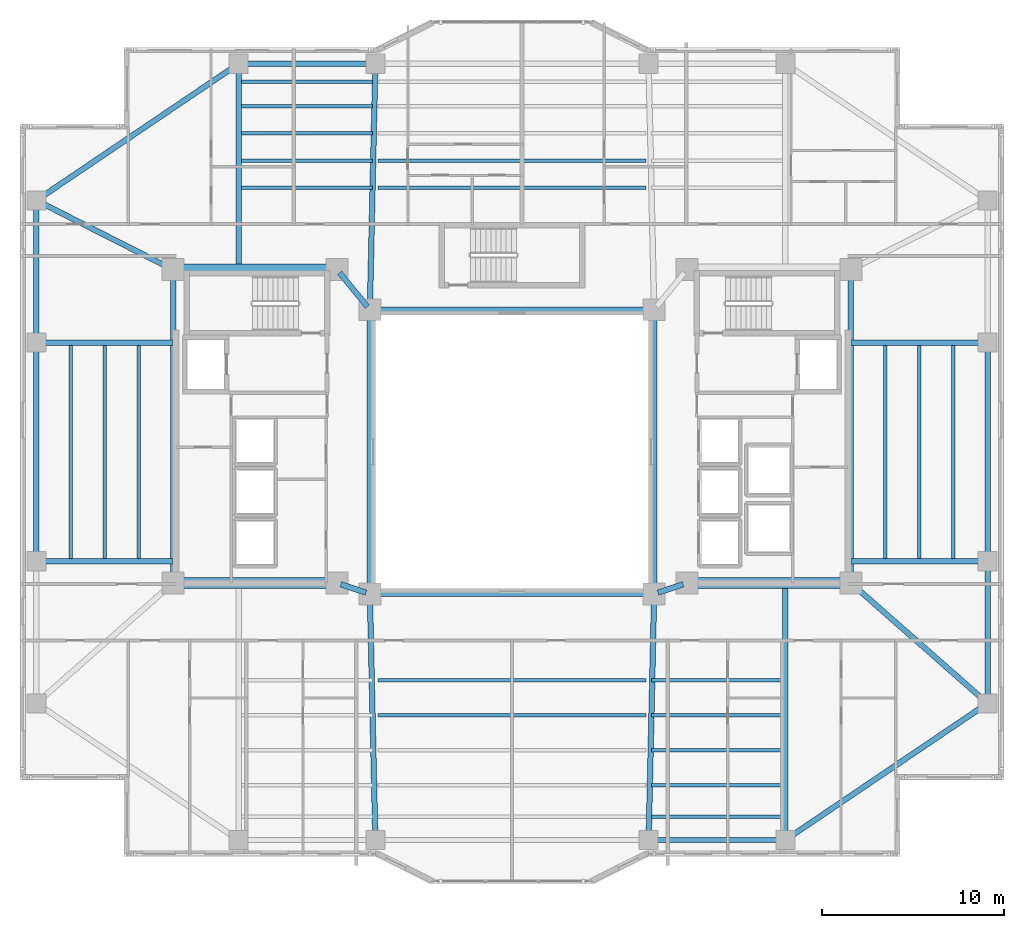
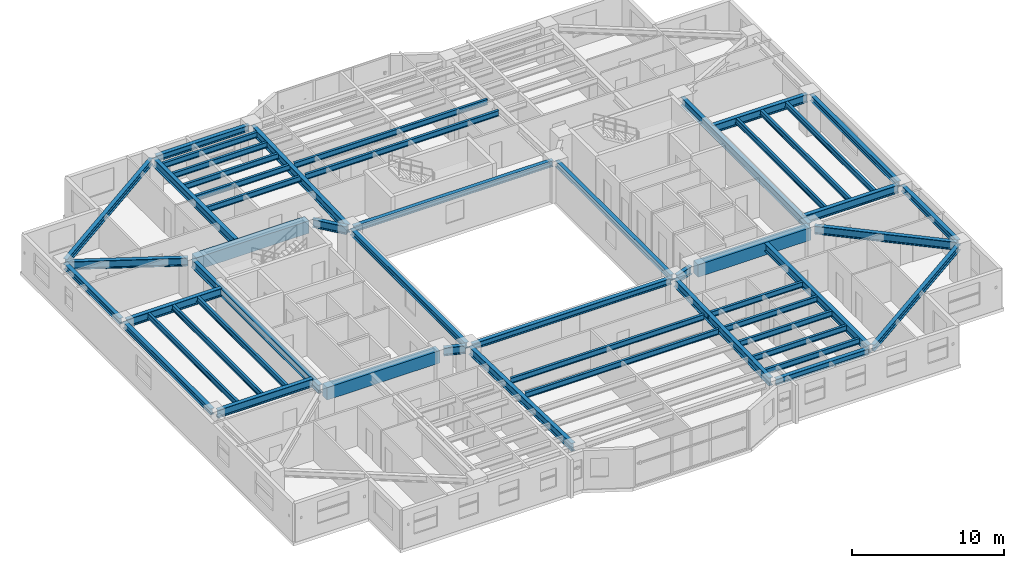
# One storey, part 3 of 18: 51 beams.
"""IFC4 building model written with IfcOpenShell, lengths in metres."""

from ifc_helpers import new_model, si_unit, direction, frame, origin, origin_2d, place, context, subcontext, project, spatial, rectangle, i_section, extrude, material, material_profile, profile_set, type_object, element, save


model = new_model("IFC4")

# Units and contexts
model_context = context("Model", 3, precision=1e-05, world=origin(), true_north=direction((0.0, 1.0)))
body_context = subcontext(model_context, "Body", "Model", "MODEL_VIEW")
ifc_project = project(units=[si_unit("LENGTHUNIT", "METRE"), si_unit("AREAUNIT", "SQUARE_METRE"), si_unit("VOLUMEUNIT", "CUBIC_METRE"), si_unit("PLANEANGLEUNIT", "RADIAN"), si_unit("MASSUNIT", "GRAM", prefix="KILO")], contexts=[model_context])

# Site, building, storey
site_placement = place(None, origin())
site = spatial("IfcSite", under=ifc_project, at=site_placement, CompositionType="ELEMENT")
building_placement = place(site_placement, origin())
building = spatial("IfcBuilding", under=site, at=building_placement, Name="Tarnavaz Court Tower", CompositionType="ELEMENT")
storey_placement = place(building_placement, frame((0.0, 0.0, 98.39990234375)))
storey = spatial("IfcBuildingStorey", under=building, at=storey_placement, Name="L26", CompositionType="ELEMENT", Elevation=98.39990234375)

# Beams
ifc_material_1 = material(Name="Concrete C60/75", Category="concrete")
ifc_material_profile_1 = material_profile(ifc_material_1, rectangle(XDim=0.60009765625, YDim=1.0, at=origin_2d()), Name="RC 600X1000")
ifc_profile_set_1 = profile_set([ifc_material_profile_1], Name="Concrete C60/75")
beam_type_1 = type_object("IfcBeamType", Name="BM-CB1000", PredefinedType="LINTEL", material=ifc_profile_set_1)
for number, where, z_axis, x_axis, name in (
    (1, (-18.3798828125, -7.199951171875, 2.60009765625), (1.0, 0.0, 0.0), (0.0, 1.0, 0.0), "L26 Beam IN-CW-SO-CW-SI"),
    (2, (-18.3798828125, 10.0, 2.60009765625), (1.0, 0.0, 0.0), (0.0, 1.0, 0.0), "L26 Beam IN-CW-NO-CW-NI"),
    (3, (18.3798828125, -7.199951171875, 2.60009765625), (-1.0, 0.0, 0.0), (0.0, -1.0, 0.0), "L26 Beam IN-CE-SO-CE-SI"),
):
    element("IfcBeam", number, at=place(storey_placement, frame(where, z_axis=z_axis, x_axis=x_axis)), inside=storey, type_object=beam_type_1, Name=name, PredefinedType="LINTEL", context=body_context, shape_type="SweptSolid", body=[
        extrude(rectangle(XDim=0.60009765625, YDim=1.0, at=origin_2d()), origin(), (0.0, 0.0, 1.0), 8.559814453125),
    ])
ifc_material_2 = material(Name="Steel S355", Category="steel")
ifc_material_profile_2 = material_profile(ifc_material_2, i_section(OverallWidth=0.300048828125, OverallDepth=0.64990234375, WebThickness=0.01611328125, FlangeThickness=0.031005859375, FilletRadius=0.027099609375, at=origin_2d()), Name="HEB 650")
ifc_profile_set_2 = profile_set([ifc_material_profile_2], Name="Steel S355")
beam_type_2 = type_object("IfcBeamType", Name="BM-G-HEB650", PredefinedType="USERDEFINED", material=ifc_profile_set_2)
for number, where, z_axis, x_axis, name in (
    (4, (-9.391357421875, -7.26953125, 2.775146484375), (0.948666544706, -0.316278021615, 0.0), (0.316278021615, 0.948666544706, 0.0), "L26 Beam IN-CW-SI-IW-SW"),
    (5, (9.391357421875, -7.26953125, 2.775146484375), (-0.948666544706, -0.316278021615, 0.0), (0.316278021615, -0.948666544706, 0.0), "L26 Beam IN-CE-SI-IW-SE"),
):
    element("IfcBeam", number, at=place(storey_placement, frame(where, z_axis=z_axis, x_axis=x_axis)), inside=storey, type_object=beam_type_2, Name=name, ObjectType="GIRDER", PredefinedType="USERDEFINED", context=body_context, shape_type="SweptSolid", body=[
        extrude(i_section(OverallWidth=0.300048828125, OverallDepth=0.64990234375, WebThickness=0.01611328125, FlangeThickness=0.031005859375, FilletRadius=0.027099609375, at=origin_2d()), origin(), (0.0, 0.0, 1.0), 1.457275390625),
    ])
beam_1_placement = place(storey_placement, frame((-9.460693359375, 9.82958984375, 2.775146484375), z_axis=(0.633282058357, -0.773921077735, 0.0), x_axis=(0.773921077735, 0.633282058357, 0.0)))
element("IfcBeam", 6, at=beam_1_placement, inside=storey, type_object=beam_type_2, Name="L26 Beam IN-CW-NI-IW-NW", ObjectType="GIRDER", PredefinedType="USERDEFINED", context=body_context, shape_type="SweptSolid", body=[
    extrude(i_section(OverallWidth=0.300048828125, OverallDepth=0.64990234375, WebThickness=0.01611328125, FlangeThickness=0.031005859375, FilletRadius=0.027099609375, at=origin_2d()), origin(), (0.0, 0.0, 1.0), 2.402587890625),
])
for number, where, z_axis, x_axis, name in (
    (7, (-18.60009765625, -6.97998046875, 2.775146484375), (0.0, 1.0, 0.0), (-1.0, 0.0, 0.0), "L26 Beam IN-CW-SO-CW-NO"),
    (8, (18.60009765625, -6.97998046875, 2.775146484375), (0.0, 1.0, 0.0), (-1.0, 0.0, 0.0), "L26 Beam IN-CE-SO-CE-NO"),
):
    element("IfcBeam", number, at=place(storey_placement, frame(where, z_axis=z_axis, x_axis=x_axis)), inside=storey, type_object=beam_type_2, Name=name, ObjectType="GIRDER", PredefinedType="USERDEFINED", context=body_context, shape_type="SweptSolid", body=[
        extrude(i_section(OverallWidth=0.300048828125, OverallDepth=0.64990234375, WebThickness=0.01611328125, FlangeThickness=0.031005859375, FilletRadius=0.027099609375, at=origin_2d()), origin(), (0.0, 0.0, 1.0), 16.760009765625),
    ])
beam_2_placement = place(storey_placement, frame((-15.0, 10.0400390625, 2.775146484375), z_axis=(0.0, 1.0, 0.0), x_axis=(-1.0, 0.0, 0.0)))
element("IfcBeam", 9, at=beam_2_placement, inside=storey, type_object=beam_type_2, Name="L26 Beam RG-01", ObjectType="GIRDER", PredefinedType="USERDEFINED", context=body_context, shape_type="SweptSolid", body=[
    extrude(i_section(OverallWidth=0.300048828125, OverallDepth=0.64990234375, WebThickness=0.01611328125, FlangeThickness=0.031005859375, FilletRadius=0.027099609375, at=origin_2d()), origin(), (0.0, 0.0, 1.0), 11.0400390625),
])
for number, where, z_axis, x_axis, name in (
    (10, (-7.795166015625, 8.02001953125, 2.775146484375), (0.022221303469, 0.99975307635, 0.0), (-0.99975307635, 0.022221303469, 0.0), "L26 Beam RG-02"),
    (11, (-7.795166015625, -8.02001953125, 2.775146484375), (0.022221303469, -0.99975307635, 0.0), (0.99975307635, 0.022221303469, 0.0), "L26 Beam RG-06"),
    (12, (7.795166015625, -8.02001953125, 2.775146484375), (-0.022221303469, -0.99975307635, 0.0), (0.99975307635, -0.022221303469, 0.0), "L26 Beam RG-07"),
):
    element("IfcBeam", number, at=place(storey_placement, frame(where, z_axis=z_axis, x_axis=x_axis)), inside=storey, type_object=beam_type_2, Name=name, ObjectType="GIRDER", PredefinedType="USERDEFINED", context=body_context, shape_type="SweptSolid", body=[
        extrude(i_section(OverallWidth=0.300048828125, OverallDepth=0.64990234375, WebThickness=0.01611328125, FlangeThickness=0.031005859375, FilletRadius=0.027099609375, at=origin_2d()), origin(), (0.0, 0.0, 1.0), 13.063232421875),
    ])
beam_3_placement = place(storey_placement, frame((15.0, -7.239990234375, 2.775146484375), z_axis=(0.0, -1.0, 0.0), x_axis=(1.0, 0.0, 0.0)))
element("IfcBeam", 13, at=beam_3_placement, inside=storey, type_object=beam_type_2, Name="L26 Beam RG-08", ObjectType="GIRDER", PredefinedType="USERDEFINED", context=body_context, shape_type="SweptSolid", body=[
    extrude(i_section(OverallWidth=0.300048828125, OverallDepth=0.64990234375, WebThickness=0.01611328125, FlangeThickness=0.031005859375, FilletRadius=0.027099609375, at=origin_2d()), origin(), (0.0, 0.0, 1.0), 13.840087890625),
])
for number, where, z_axis, x_axis, name in (
    (14, (18.639892578125, -6.0, 2.775146484375), (1.0, 0.0, 0.0), (0.0, 1.0, 0.0), "L26 Beam RG-09"),
    (15, (18.639892578125, 6.0, 2.775146484375), (1.0, 0.0, 0.0), (0.0, 1.0, 0.0), "L26 Beam RG-10"),
):
    element("IfcBeam", number, at=place(storey_placement, frame(where, z_axis=z_axis, x_axis=x_axis)), inside=storey, type_object=beam_type_2, Name=name, ObjectType="GIRDER", PredefinedType="USERDEFINED", context=body_context, shape_type="SweptSolid", body=[
        extrude(i_section(OverallWidth=0.300048828125, OverallDepth=0.64990234375, WebThickness=0.01611328125, FlangeThickness=0.031005859375, FilletRadius=0.027099609375, at=origin_2d()), origin(), (0.0, 0.0, 1.0), 7.239990234375),
    ])
beam_4_placement = place(storey_placement, frame((18.76513671875, -7.34521484375, 2.775146484375), z_axis=(0.750700332035, -0.660642877417, 0.0), x_axis=(0.660642877417, 0.750700332035, 0.0)))
element("IfcBeam", 16, at=beam_4_placement, inside=storey, type_object=beam_type_2, Name="L26 Beam RG-11", ObjectType="GIRDER", PredefinedType="USERDEFINED", context=body_context, shape_type="SweptSolid", body=[
    extrude(i_section(OverallWidth=0.300048828125, OverallDepth=0.64990234375, WebThickness=0.01611328125, FlangeThickness=0.031005859375, FilletRadius=0.027099609375, at=origin_2d()), origin(), (0.0, 0.0, 1.0), 9.550537109375),
])
for number, where, z_axis, x_axis, name in (
    (17, (-18.639892578125, -6.0, 2.775146484375), (-1.0, 0.0, 0.0), (0.0, -1.0, 0.0), "L26 Beam RG-13"),
    (18, (-18.639892578125, 6.0, 2.775146484375), (-1.0, 0.0, 0.0), (0.0, -1.0, 0.0), "L26 Beam RG-14"),
):
    element("IfcBeam", number, at=place(storey_placement, frame(where, z_axis=z_axis, x_axis=x_axis)), inside=storey, type_object=beam_type_2, Name=name, ObjectType="GIRDER", PredefinedType="USERDEFINED", context=body_context, shape_type="SweptSolid", body=[
        extrude(i_section(OverallWidth=0.300048828125, OverallDepth=0.64990234375, WebThickness=0.01611328125, FlangeThickness=0.031005859375, FilletRadius=0.027099609375, at=origin_2d()), origin(), (0.0, 0.0, 1.0), 7.239990234375),
    ])
beam_5_placement = place(storey_placement, frame((-18.796142578125, 10.099365234375, 2.775146484375), z_axis=(-0.892030669981, 0.451974870776, 0.0), x_axis=(-0.451974870776, -0.892030669981, 0.0)))
element("IfcBeam", 19, at=beam_5_placement, inside=storey, type_object=beam_type_2, Name="L26 Beam RG-16", ObjectType="GIRDER", PredefinedType="USERDEFINED", context=body_context, shape_type="SweptSolid", body=[
    extrude(i_section(OverallWidth=0.300048828125, OverallDepth=0.64990234375, WebThickness=0.01611328125, FlangeThickness=0.031005859375, FilletRadius=0.027099609375, at=origin_2d()), origin(), (0.0, 0.0, 1.0), 7.968017578125),
])
ifc_material_profile_3 = material_profile(ifc_material_2, i_section(OverallWidth=0.18994140625, OverallDepth=0.449951171875, WebThickness=0.009521484375, FlangeThickness=0.0146484375, FilletRadius=0.02099609375, at=origin_2d()), Name="IPE 450")
ifc_profile_set_3 = profile_set([ifc_material_profile_3], Name="Steel S355")
beam_type_3 = type_object("IfcBeamType", Name="BM-J-IPE450", PredefinedType="JOIST", material=ifc_profile_set_3)
beam_6_placement = place(storey_placement, frame((-14.85009765625, 14.493896484375, 2.875), z_axis=(1.0, 0.0, 0.0), x_axis=(0.0, 1.0, 0.0)))
element("IfcBeam", 20, at=beam_6_placement, inside=storey, type_object=beam_type_3, Name="L26 Beam JN1-1", PredefinedType="JOIST", context=body_context, shape_type="SweptSolid", body=[
    extrude(i_section(OverallWidth=0.18994140625, OverallDepth=0.449951171875, WebThickness=0.009521484375, FlangeThickness=0.0146484375, FilletRadius=0.02099609375, at=origin_2d()), origin(), (0.0, 0.0, 1.0), 7.2001953125),
])
for number, where, z_axis, x_axis, name in (
    (21, (-7.35009765625, 14.493896484375, 2.875), (1.0, 0.0, 0.0), (0.0, 1.0, 0.0), "L26 Beam JN1-2"),
    (22, (-7.35009765625, -12.52587890625, 2.875), (1.0, 0.0, 0.0), (0.0, 1.0, 0.0), "L26 Beam JS1-2"),
):
    element("IfcBeam", number, at=place(storey_placement, frame(where, z_axis=z_axis, x_axis=x_axis)), inside=storey, type_object=beam_type_3, Name=name, PredefinedType="JOIST", context=body_context, shape_type="SweptSolid", body=[
        extrude(i_section(OverallWidth=0.18994140625, OverallDepth=0.449951171875, WebThickness=0.009521484375, FlangeThickness=0.0146484375, FilletRadius=0.02099609375, at=origin_2d()), origin(), (0.0, 0.0, 1.0), 14.7001953125),
    ])
for number, where, z_axis, x_axis, name in (
    (23, (7.64990234375, -12.52587890625, 2.875), (1.0, 0.0, 0.0), (0.0, 1.0, 0.0), "L26 Beam JS1-3"),
    (24, (-14.85009765625, 15.988037109375, 2.875), (1.0, 0.0, 0.0), (0.0, 1.0, 0.0), "L26 Beam JN2-1"),
):
    element("IfcBeam", number, at=place(storey_placement, frame(where, z_axis=z_axis, x_axis=x_axis)), inside=storey, type_object=beam_type_3, Name=name, PredefinedType="JOIST", context=body_context, shape_type="SweptSolid", body=[
        extrude(i_section(OverallWidth=0.18994140625, OverallDepth=0.449951171875, WebThickness=0.009521484375, FlangeThickness=0.0146484375, FilletRadius=0.02099609375, at=origin_2d()), origin(), (0.0, 0.0, 1.0), 7.2001953125),
    ])
for number, where, z_axis, x_axis, name in (
    (25, (-7.35009765625, 15.988037109375, 2.875), (1.0, 0.0, 0.0), (0.0, 1.0, 0.0), "L26 Beam JN2-2"),
    (26, (-7.35009765625, -14.451904296875, 2.875), (1.0, 0.0, 0.0), (0.0, 1.0, 0.0), "L26 Beam JS2-2"),
):
    element("IfcBeam", number, at=place(storey_placement, frame(where, z_axis=z_axis, x_axis=x_axis)), inside=storey, type_object=beam_type_3, Name=name, PredefinedType="JOIST", context=body_context, shape_type="SweptSolid", body=[
        extrude(i_section(OverallWidth=0.18994140625, OverallDepth=0.449951171875, WebThickness=0.009521484375, FlangeThickness=0.0146484375, FilletRadius=0.02099609375, at=origin_2d()), origin(), (0.0, 0.0, 1.0), 14.7001953125),
    ])
for number, where, z_axis, x_axis, name in (
    (27, (7.64990234375, -14.451904296875, 2.875), (1.0, 0.0, 0.0), (0.0, 1.0, 0.0), "L26 Beam JS2-3"),
    (28, (-14.85009765625, 17.48193359375, 2.875), (1.0, 0.0, 0.0), (0.0, 1.0, 0.0), "L26 Beam JN3-1"),
    (29, (7.64990234375, -16.3779296875, 2.875), (1.0, 0.0, 0.0), (0.0, 1.0, 0.0), "L26 Beam JS3-3"),
    (30, (-14.85009765625, 18.97607421875, 2.875), (1.0, 0.0, 0.0), (0.0, 1.0, 0.0), "L26 Beam JN4-1"),
    (31, (7.64990234375, -18.303955078125, 2.875), (1.0, 0.0, 0.0), (0.0, 1.0, 0.0), "L26 Beam JS4-3"),
    (32, (-14.85009765625, 20.303955078125, 2.875), (1.0, 0.0, 0.0), (0.0, 1.0, 0.0), "L26 Beam JN5-1"),
    (33, (7.64990234375, -20.01611328125, 2.875), (1.0, 0.0, 0.0), (0.0, 1.0, 0.0), "L26 Beam JS5-3"),
):
    element("IfcBeam", number, at=place(storey_placement, frame(where, z_axis=z_axis, x_axis=x_axis)), inside=storey, type_object=beam_type_3, Name=name, PredefinedType="JOIST", context=body_context, shape_type="SweptSolid", body=[
        extrude(i_section(OverallWidth=0.18994140625, OverallDepth=0.449951171875, WebThickness=0.009521484375, FlangeThickness=0.0146484375, FilletRadius=0.02099609375, at=origin_2d()), origin(), (0.0, 0.0, 1.0), 7.2001953125),
    ])
for number, where, z_axis, x_axis, name in (
    (34, (20.47509765625, -5.9599609375, 2.875), (0.0, 1.0, 0.0), (-1.0, 0.0, 0.0), "L26 Beam JE1"),
    (35, (-20.47509765625, -5.9599609375, 2.875), (0.0, 1.0, 0.0), (-1.0, 0.0, 0.0), "L26 Beam JW1"),
    (36, (22.35009765625, -5.9599609375, 2.875), (0.0, 1.0, 0.0), (-1.0, 0.0, 0.0), "L26 Beam JE2"),
    (37, (-22.35009765625, -5.9599609375, 2.875), (0.0, 1.0, 0.0), (-1.0, 0.0, 0.0), "L26 Beam JW2"),
    (38, (24.22509765625, -5.9599609375, 2.875), (0.0, 1.0, 0.0), (-1.0, 0.0, 0.0), "L26 Beam JE3"),
    (39, (-24.22509765625, -5.9599609375, 2.875), (0.0, 1.0, 0.0), (-1.0, 0.0, 0.0), "L26 Beam JW3"),
):
    element("IfcBeam", number, at=place(storey_placement, frame(where, z_axis=z_axis, x_axis=x_axis)), inside=storey, type_object=beam_type_3, Name=name, PredefinedType="JOIST", context=body_context, shape_type="SweptSolid", body=[
        extrude(i_section(OverallWidth=0.18994140625, OverallDepth=0.449951171875, WebThickness=0.009521484375, FlangeThickness=0.0146484375, FilletRadius=0.02099609375, at=origin_2d()), origin(), (0.0, 0.0, 1.0), 11.919921875),
    ])
ifc_material_profile_4 = material_profile(ifc_material_2, i_section(OverallWidth=0.300048828125, OverallDepth=0.489990234375, WebThickness=0.011962890625, FlangeThickness=0.02294921875, FilletRadius=0.027099609375, at=origin_2d()), Name="HEA 500")
ifc_profile_set_4 = profile_set([ifc_material_profile_4], Name="Steel S355")
beam_type_4 = type_object("IfcBeamType", Name="BM-SP-HEA500", PredefinedType="SPANDREL", material=ifc_profile_set_4)
for number, where, z_axis, x_axis, name in (
    (40, (-7.580078125, -7.800048828125, 2.85498046875), (1.0, 0.0, 0.0), (0.0, 1.0, 0.0), "L26 Beam IN-IW-SW-IW-SE"),
    (41, (-7.580078125, 7.800048828125, 2.85498046875), (1.0, 0.0, 0.0), (0.0, 1.0, 0.0), "L26 Beam IN-IW-NW-IW-NE"),
    (42, (-7.800048828125, -7.580078125, 2.85498046875), (0.0, 1.0, 0.0), (-1.0, 0.0, 0.0), "L26 Beam IN-IW-SW-IW-NW"),
    (43, (7.800048828125, -7.580078125, 2.85498046875), (0.0, 1.0, 0.0), (-1.0, 0.0, 0.0), "L26 Beam IN-IW-SE-IW-NE"),
):
    element("IfcBeam", number, at=place(storey_placement, frame(where, z_axis=z_axis, x_axis=x_axis)), inside=storey, type_object=beam_type_4, Name=name, PredefinedType="SPANDREL", context=body_context, shape_type="SweptSolid", body=[
        extrude(i_section(OverallWidth=0.300048828125, OverallDepth=0.489990234375, WebThickness=0.011962890625, FlangeThickness=0.02294921875, FilletRadius=0.027099609375, at=origin_2d()), origin(), (0.0, 0.0, 1.0), 15.16015625),
    ])
for number, where, z_axis, x_axis, name in (
    (44, (-14.780029296875, 21.300048828125, 2.85498046875), (1.0, 0.0, 0.0), (0.0, 1.0, 0.0), "L26 Beam PR-PN-1-PN-2"),
    (45, (7.719970703125, -21.300048828125, 2.85498046875), (1.0, 0.0, 0.0), (0.0, 1.0, 0.0), "L26 Beam PR-PS-3-PS-4"),
):
    element("IfcBeam", number, at=place(storey_placement, frame(where, z_axis=z_axis, x_axis=x_axis)), inside=storey, type_object=beam_type_4, Name=name, PredefinedType="SPANDREL", context=body_context, shape_type="SweptSolid", body=[
        extrude(i_section(OverallWidth=0.300048828125, OverallDepth=0.489990234375, WebThickness=0.011962890625, FlangeThickness=0.02294921875, FilletRadius=0.027099609375, at=origin_2d()), origin(), (0.0, 0.0, 1.0), 7.06005859375),
    ])
beam_7_placement = place(storey_placement, frame((26.10009765625, -13.580078125, 2.85498046875), z_axis=(0.0, 1.0, 0.0), x_axis=(-1.0, 0.0, 0.0)))
element("IfcBeam", 46, at=beam_7_placement, inside=storey, type_object=beam_type_4, Name="L26 Beam PR-PE-1-PE-2", PredefinedType="SPANDREL", context=body_context, shape_type="SweptSolid", body=[
    extrude(i_section(OverallWidth=0.300048828125, OverallDepth=0.489990234375, WebThickness=0.011962890625, FlangeThickness=0.02294921875, FilletRadius=0.027099609375, at=origin_2d()), origin(), (0.0, 0.0, 1.0), 7.360107421875),
])
for number, where, z_axis, x_axis, name in (
    (47, (26.10009765625, -5.780029296875, 2.85498046875), (0.0, 1.0, 0.0), (-1.0, 0.0, 0.0), "L26 Beam PR-PE-2-PE-3"),
    (48, (-26.10009765625, -5.780029296875, 2.85498046875), (0.0, 1.0, 0.0), (-1.0, 0.0, 0.0), "L26 Beam PR-PW-2-PW-3"),
):
    element("IfcBeam", number, at=place(storey_placement, frame(where, z_axis=z_axis, x_axis=x_axis)), inside=storey, type_object=beam_type_4, Name=name, PredefinedType="SPANDREL", context=body_context, shape_type="SweptSolid", body=[
        extrude(i_section(OverallWidth=0.300048828125, OverallDepth=0.489990234375, WebThickness=0.011962890625, FlangeThickness=0.02294921875, FilletRadius=0.027099609375, at=origin_2d()), origin(), (0.0, 0.0, 1.0), 11.56005859375),
    ])
beam_8_placement = place(storey_placement, frame((-26.10009765625, 6.219970703125, 2.85498046875), z_axis=(0.0, 1.0, 0.0), x_axis=(-1.0, 0.0, 0.0)))
element("IfcBeam", 49, at=beam_8_placement, inside=storey, type_object=beam_type_4, Name="L26 Beam PR-PW-3-PW-4", PredefinedType="SPANDREL", context=body_context, shape_type="SweptSolid", body=[
    extrude(i_section(OverallWidth=0.300048828125, OverallDepth=0.489990234375, WebThickness=0.011962890625, FlangeThickness=0.02294921875, FilletRadius=0.027099609375, at=origin_2d()), origin(), (0.0, 0.0, 1.0), 7.360107421875),
])
for number, where, z_axis, x_axis, name in (
    (50, (25.917724609375, -13.923095703125, 2.85498046875), (-0.828587314918, -0.559859858854, 0.0), (0.559859858854, -0.828587314918, 0.0), "L26 Beam PR-PE-1-PS-4"),
    (51, (-25.917724609375, 13.923095703125, 2.85498046875), (0.828587314918, 0.559859858854, 0.0), (-0.559859858854, 0.828587314918, 0.0), "L26 Beam PR-PW-4-PN-1"),
):
    element("IfcBeam", number, at=place(storey_placement, frame(where, z_axis=z_axis, x_axis=x_axis)), inside=storey, type_object=beam_type_4, Name=name, PredefinedType="SPANDREL", context=body_context, shape_type="SweptSolid", body=[
        extrude(i_section(OverallWidth=0.300048828125, OverallDepth=0.489990234375, WebThickness=0.011962890625, FlangeThickness=0.02294921875, FilletRadius=0.027099609375, at=origin_2d()), origin(), (0.0, 0.0, 1.0), 12.956298828125),
    ])

save(model, "model.ifc")
